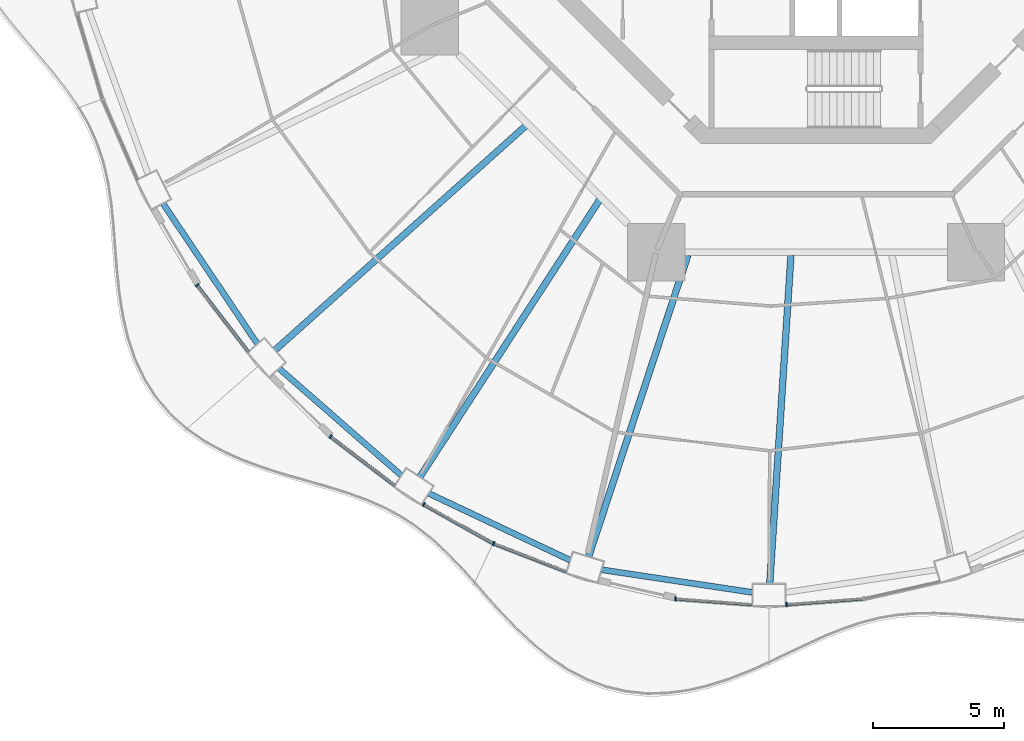
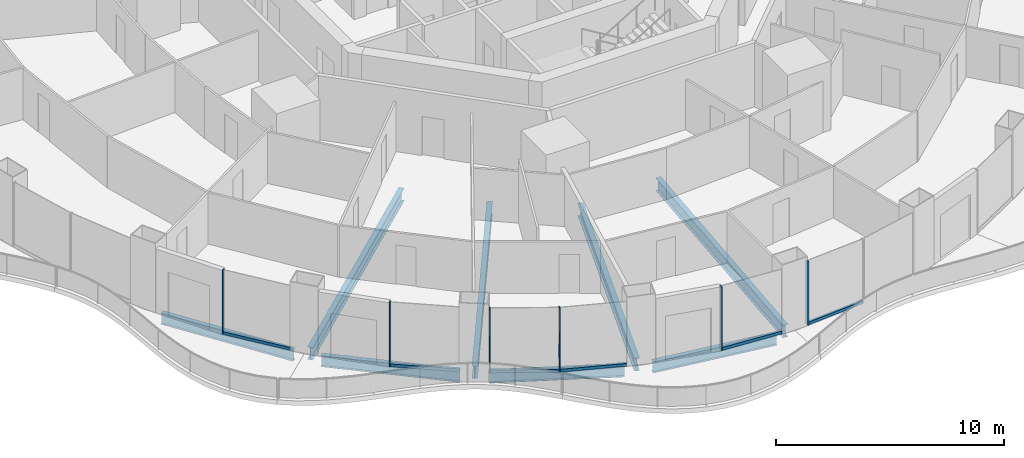
# One storey, part 2 of 22: 12 members, 8 beams, 6 elements without a shape of their own.
"""IFC4 building model written with IfcOpenShell, lengths in metres."""

from ifc_helpers import new_model, si_unit, direction, frame, origin, origin_2d, place, context, subcontext, project, spatial, rectangle, i_section, extrude, material, layer, layer_set, material_profile, profile_set, type_object, element, aggregate, save


model = new_model("IFC4")

# Units and contexts
model_context = context("Model", 3, precision=1e-05, world=origin(), true_north=direction((0.0, 1.0)))
body_context = subcontext(model_context, "Body", "Model", "MODEL_VIEW")
ifc_project = project(units=[si_unit("LENGTHUNIT", "METRE"), si_unit("AREAUNIT", "SQUARE_METRE"), si_unit("VOLUMEUNIT", "CUBIC_METRE"), si_unit("PLANEANGLEUNIT", "RADIAN"), si_unit("MASSUNIT", "GRAM", prefix="KILO")], contexts=[model_context])

# Site, building, storey
site_placement = place(None, origin())
site = spatial("IfcSite", under=ifc_project, at=site_placement, CompositionType="ELEMENT")
building_placement = place(site_placement, origin())
building = spatial("IfcBuilding", under=site, at=building_placement, Name="Nagisa Residences", CompositionType="ELEMENT")
storey_placement = place(building_placement, frame((0.0, 0.0, 95.5)))
storey = spatial("IfcBuildingStorey", under=building, at=storey_placement, Name="L23", CompositionType="ELEMENT", Elevation=95.5)

# Curtain wall, member
ifc_material_1 = material(Name="Concrete-coloured aluminium curtain wall system", Category="concrete")
ifc_layer = layer(ifc_material_1, 0.159912109375)
ifc_layer_set = layer_set([ifc_layer], Name="CW1 CURTAIN WALL")
curtain_wall_type = type_object("IfcCurtainWallType", Name="CW1 CURTAIN WALL", PredefinedType="NOTDEFINED", material=ifc_layer_set)
curtain_wall_1_placement = place(storey_placement, origin())
curtain_wall_1 = element("IfcCurtainWall", 1, at=curtain_wall_1_placement, inside=storey, type_object=curtain_wall_type, Name="cw:CW1:L23:29", PredefinedType="NOTDEFINED")
ifc_material_2 = material(Name="Concrete-coloured aluminium", Category="concrete")
ifc_material_profile_1 = material_profile(ifc_material_2, rectangle(XDim=0.159912109375, YDim=0.06005859375, at=origin_2d()), Name="CW1 MULLION 160x60")
ifc_profile_set_1 = profile_set([ifc_material_profile_1], Name="Concrete-coloured aluminium")
member_type_1 = type_object("IfcMemberType", Name="CW1 MULLION 160x60", PredefinedType="MULLION", material=ifc_profile_set_1)
member_1_placement = place(storey_placement, frame((-23.690185546875, -16.042236328125, 0.0), z_axis=(0.0, 0.0, 1.0), x_axis=(0.792070340816, 0.610429828235, 0.0)))
member_1 = element("IfcMember", 2, at=member_1_placement, type_object=member_type_1, Name="CW1 mullion", PredefinedType="MULLION", context=body_context, shape_type="SweptSolid", body=[
    extrude(rectangle(XDim=0.159912109375, YDim=0.06005859375, at=origin_2d()), origin(), (0.0, 0.0, 1.0), 3.43994140625),
])

curtain_wall_2_placement = place(storey_placement, origin())
curtain_wall_2 = element("IfcCurtainWall", 3, at=curtain_wall_2_placement, inside=storey, type_object=curtain_wall_type, Name="cw:CW1:L23:31", PredefinedType="NOTDEFINED")
member_2_placement = place(storey_placement, frame((-18.58740234375, -21.83935546875, 0.0), z_axis=(0.0, 0.0, 1.0), x_axis=(0.605255421737, 0.79603132756, 0.0)))
member_2 = element("IfcMember", 4, at=member_2_placement, type_object=member_type_1, Name="CW1 mullion", PredefinedType="MULLION", context=body_context, shape_type="SweptSolid", body=[
    extrude(rectangle(XDim=0.159912109375, YDim=0.06005859375, at=origin_2d()), origin(), (0.0, 0.0, 1.0), 3.43994140625),
])

curtain_wall_3_placement = place(storey_placement, origin())
curtain_wall_3 = element("IfcCurtainWall", 5, at=curtain_wall_3_placement, inside=storey, type_object=curtain_wall_type, Name="cw:CW1:L23:32", PredefinedType="NOTDEFINED")
member_3_placement = place(storey_placement, frame((-15.015380859375, -24.43798828125, 0.0), z_axis=(0.0, 0.0, 1.0), x_axis=(0.489376918501, 0.872072377523, 0.0)))
member_3 = element("IfcMember", 6, at=member_3_placement, type_object=member_type_1, Name="CW1 mullion", PredefinedType="MULLION", context=body_context, shape_type="SweptSolid", body=[
    extrude(rectangle(XDim=0.159912109375, YDim=0.06005859375, at=origin_2d()), origin(), (0.0, 0.0, 1.0), 3.43994140625),
])

curtain_wall_4_placement = place(storey_placement, origin())
curtain_wall_4 = element("IfcCurtainWall", 7, at=curtain_wall_4_placement, inside=storey, type_object=curtain_wall_type, Name="cw:CW1:L23:33", PredefinedType="NOTDEFINED")
member_4_placement = place(storey_placement, frame((-12.341552734375, -25.9345703125, 0.0), z_axis=(0.0, 0.0, 1.0), x_axis=(0.360327770268, 0.932825759707, 0.0)))
member_4 = element("IfcMember", 8, at=member_4_placement, type_object=member_type_1, Name="CW1 mullion", PredefinedType="MULLION", context=body_context, shape_type="SweptSolid", body=[
    extrude(rectangle(XDim=0.159912109375, YDim=0.06005859375, at=origin_2d()), origin(), (0.0, 0.0, 1.0), 3.43994140625),
])

curtain_wall_5_placement = place(storey_placement, origin())
curtain_wall_5 = element("IfcCurtainWall", 9, at=curtain_wall_5_placement, inside=storey, type_object=curtain_wall_type, Name="cw:CW1:L23:35", PredefinedType="NOTDEFINED")
member_5_placement = place(storey_placement, frame((-5.379150390625, -28.050048828125, 0.0), z_axis=(0.0, 0.0, 1.0), x_axis=(0.074377355493, 0.997230168512, 0.0)))
member_5 = element("IfcMember", 10, at=member_5_placement, type_object=member_type_1, Name="CW1 mullion", PredefinedType="MULLION", context=body_context, shape_type="SweptSolid", body=[
    extrude(rectangle(XDim=0.159912109375, YDim=0.06005859375, at=origin_2d()), origin(), (0.0, 0.0, 1.0), 3.43994140625),
])

curtain_wall_6_placement = place(storey_placement, origin())
curtain_wall_6 = element("IfcCurtainWall", 11, at=curtain_wall_6_placement, inside=storey, type_object=curtain_wall_type, Name="cw:CW1:L23:36", PredefinedType="NOTDEFINED")
member_6_placement = place(storey_placement, frame((-1.1279296875, -28.266845703125, 0.0), z_axis=(0.0, 0.0, 1.0), x_axis=(-0.074377355493, 0.997230168512, 0.0)))
member_6 = element("IfcMember", 12, at=member_6_placement, type_object=member_type_1, Name="CW1 mullion", PredefinedType="MULLION", context=body_context, shape_type="SweptSolid", body=[
    extrude(rectangle(XDim=0.159912109375, YDim=0.06005859375, at=origin_2d()), origin(), (0.0, 0.0, 1.0), 3.43994140625),
])

# Member
ifc_material_3 = material(Name="Concrete-coloured aluminium", Category="concrete")
ifc_material_profile_2 = material_profile(ifc_material_3, rectangle(XDim=0.1201171875, YDim=0.14990234375, at=origin_2d()), Name="CW1 TRANSOM 120x150")
ifc_profile_set_2 = profile_set([ifc_material_profile_2], Name="Concrete-coloured aluminium")
member_type_2 = type_object("IfcMemberType", Name="CW1 TRANSOM 120x150", PredefinedType="USERDEFINED", material=ifc_profile_set_2)
member_7_placement = place(storey_placement, frame((-23.70849609375, -16.0185546875, 0.074951171875), z_axis=(0.61041202934, -0.792084057684, 0.0), x_axis=(0.792084057684, 0.61041202934, 0.0)))
member_7 = element("IfcMember", 13, at=member_7_placement, type_object=member_type_2, Name="CW1 transom", ObjectType="TRANSOM", PredefinedType="USERDEFINED", context=body_context, shape_type="SweptSolid", body=[
    extrude(rectangle(XDim=0.1201171875, YDim=0.14990234375, at=origin_2d()), origin(), (0.0, 0.0, 1.0), 3.262939453125),
])

aggregate(curtain_wall_1, [member_1, member_7])

member_8_placement = place(storey_placement, frame((-18.611328125, -21.821044921875, 0.074951171875), z_axis=(0.796028580718, -0.605259034365, 0.0), x_axis=(0.605259034365, 0.796028580718, 0.0)))
member_8 = element("IfcMember", 14, at=member_8_placement, type_object=member_type_2, Name="CW1 transom", ObjectType="TRANSOM", PredefinedType="USERDEFINED", context=body_context, shape_type="SweptSolid", body=[
    extrude(rectangle(XDim=0.1201171875, YDim=0.14990234375, at=origin_2d()), origin(), (0.0, 0.0, 1.0), 3.134033203125),
])

aggregate(curtain_wall_2, [member_2, member_8])

member_9_placement = place(storey_placement, frame((-15.04150390625, -24.42333984375, 0.074951171875), z_axis=(0.872037280335, -0.489439456631, 0.0), x_axis=(0.489439456631, 0.872037280335, 0.0)))
member_9 = element("IfcMember", 15, at=member_9_placement, type_object=member_type_2, Name="CW1 transom", ObjectType="TRANSOM", PredefinedType="USERDEFINED", context=body_context, shape_type="SweptSolid", body=[
    extrude(rectangle(XDim=0.1201171875, YDim=0.14990234375, at=origin_2d()), origin(), (0.0, 0.0, 1.0), 3.07568359375),
])

aggregate(curtain_wall_3, [member_3, member_9])

member_10_placement = place(storey_placement, frame((-12.36962890625, -25.923828125, 0.074951171875), z_axis=(0.932837560624, -0.360297218263, 0.0), x_axis=(0.360297218263, 0.932837560624, 0.0)))
member_10 = element("IfcMember", 16, at=member_10_placement, type_object=member_type_2, Name="CW1 transom", ObjectType="TRANSOM", PredefinedType="USERDEFINED", context=body_context, shape_type="SweptSolid", body=[
    extrude(rectangle(XDim=0.1201171875, YDim=0.14990234375, at=origin_2d()), origin(), (0.0, 0.0, 1.0), 3.027587890625),
])

aggregate(curtain_wall_4, [member_4, member_10])

member_11_placement = place(storey_placement, frame((-5.408935546875, -28.0478515625, 0.074951171875), z_axis=(0.997226174467, -0.074430887117, 0.0), x_axis=(0.074430887117, 0.997226174467, 0.0)))
member_11 = element("IfcMember", 17, at=member_11_placement, type_object=member_type_2, Name="CW1 transom", ObjectType="TRANSOM", PredefinedType="USERDEFINED", context=body_context, shape_type="SweptSolid", body=[
    extrude(rectangle(XDim=0.1201171875, YDim=0.14990234375, at=origin_2d()), origin(), (0.0, 0.0, 1.0), 2.97509765625),
])

aggregate(curtain_wall_5, [member_5, member_11])

member_12_placement = place(storey_placement, frame((-1.15771484375, -28.269287109375, 0.074951171875), z_axis=(0.997226174467, 0.074430887117, 0.0), x_axis=(-0.074430887117, 0.997226174467, 0.0)))
member_12 = element("IfcMember", 18, at=member_12_placement, type_object=member_type_2, Name="CW1 transom", ObjectType="TRANSOM", PredefinedType="USERDEFINED", context=body_context, shape_type="SweptSolid", body=[
    extrude(rectangle(XDim=0.1201171875, YDim=0.14990234375, at=origin_2d()), origin(), (0.0, 0.0, 1.0), 2.97509765625),
])

aggregate(curtain_wall_6, [member_6, member_12])

# Beams
ifc_material_4 = material(Name="Steel ASTM A572 Gr 50", Category="steel")
ifc_material_profile_3 = material_profile(ifc_material_4, i_section(OverallWidth=0.22802734375, OverallDepth=0.60302734375, WebThickness=0.010498046875, FlangeThickness=0.014892578125, at=origin_2d()), Name="W610x101")
ifc_profile_set_3 = profile_set([ifc_material_profile_3], Name="Steel ASTM A572 Gr 50")
beam_type_1 = type_object("IfcBeamType", Name="Perimeter ring beam W610x101", PredefinedType="BEAM", material=ifc_profile_set_3)
beam_1_placement = place(storey_placement, frame((-24.9970703125, -12.91650390625, -0.5615234375), z_axis=(0.558203607151, -0.829704003222, 0.0), x_axis=(0.829704003222, 0.558203607151, 0.0)))
element("IfcBeam", 19, at=beam_1_placement, inside=storey, type_object=beam_type_1, Name="beam:L23:pb15", PredefinedType="BEAM", context=body_context, shape_type="SweptSolid", body=[
    extrude(i_section(OverallWidth=0.22802734375, OverallDepth=0.60302734375, WebThickness=0.010498046875, FlangeThickness=0.014892578125, at=origin_2d()), origin(), (0.0, 0.0, 1.0), 6.4716796875),
])
beam_2_placement = place(storey_placement, frame((-20.551513671875, -19.231689453125, -0.5615234375), z_axis=(0.752542612886, -0.658543556488, 0.0), x_axis=(0.658543556488, 0.752542612886, 0.0)))
element("IfcBeam", 20, at=beam_2_placement, inside=storey, type_object=beam_type_1, Name="beam:L23:pb16", PredefinedType="BEAM", context=body_context, shape_type="SweptSolid", body=[
    extrude(i_section(OverallWidth=0.22802734375, OverallDepth=0.60302734375, WebThickness=0.010498046875, FlangeThickness=0.014892578125, at=origin_2d()), origin(), (0.0, 0.0, 1.0), 6.212646484375),
])
beam_3_placement = place(storey_placement, frame((-14.822021484375, -24.013916015625, -0.5615234375), z_axis=(0.90418952838, -0.427131474804, 0.0), x_axis=(0.427131474804, 0.90418952838, 0.0)))
element("IfcBeam", 21, at=beam_3_placement, inside=storey, type_object=beam_type_1, Name="beam:L23:pb17", PredefinedType="BEAM", context=body_context, shape_type="SweptSolid", body=[
    extrude(i_section(OverallWidth=0.22802734375, OverallDepth=0.60302734375, WebThickness=0.010498046875, FlangeThickness=0.014892578125, at=origin_2d()), origin(), (0.0, 0.0, 1.0), 5.98046875),
])
beam_4_placement = place(storey_placement, frame((-8.20849609375, -26.93505859375, -0.5615234375), z_axis=(0.988913048607, -0.148495731568, 0.0), x_axis=(0.148495731568, 0.988913048607, 0.0)))
element("IfcBeam", 22, at=beam_4_placement, inside=storey, type_object=beam_type_1, Name="beam:L23:pb18", PredefinedType="BEAM", context=body_context, shape_type="SweptSolid", body=[
    extrude(i_section(OverallWidth=0.22802734375, OverallDepth=0.60302734375, WebThickness=0.010498046875, FlangeThickness=0.014892578125, at=origin_2d()), origin(), (0.0, 0.0, 1.0), 5.843017578125),
])
ifc_material_5 = material(Name="Steel ASTM A572 Gr 50", Category="steel")
ifc_material_profile_4 = material_profile(ifc_material_5, i_section(OverallWidth=0.2529296875, OverallDepth=0.677978515625, WebThickness=0.01171875, FlangeThickness=0.016357421875, at=origin_2d()), Name="W690x125")
ifc_profile_set_4 = profile_set([ifc_material_profile_4], Name="Steel ASTM A572 Gr 50")
beam_type_2 = type_object("IfcBeamType", Name="Radial beam W690x125", PredefinedType="BEAM", material=ifc_profile_set_4)
beam_5_placement = place(storey_placement, frame((-20.709228515625, -18.526611328125, -0.59912109375), z_axis=(0.745284973843, 0.666746059428, 0.0), x_axis=(-0.666746059428, 0.745284973843, 0.0)))
element("IfcBeam", 23, at=beam_5_placement, inside=storey, type_object=beam_type_2, Name="beam:L23:rb16", PredefinedType="BEAM", context=body_context, shape_type="SweptSolid", body=[
    extrude(i_section(OverallWidth=0.2529296875, OverallDepth=0.677978515625, WebThickness=0.01171875, FlangeThickness=0.016357421875, at=origin_2d()), origin(), (0.0, 0.0, 1.0), 12.869384765625),
])
beam_6_placement = place(storey_placement, frame((-15.16357421875, -23.38134765625, -0.59912109375), z_axis=(0.544121648903, 0.839006335611, 0.0), x_axis=(-0.839006335611, 0.544121648903, 0.0)))
element("IfcBeam", 24, at=beam_6_placement, inside=storey, type_object=beam_type_2, Name="beam:L23:rb17", PredefinedType="BEAM", context=body_context, shape_type="SweptSolid", body=[
    extrude(i_section(OverallWidth=0.2529296875, OverallDepth=0.677978515625, WebThickness=0.01171875, FlangeThickness=0.016357421875, at=origin_2d()), origin(), (0.0, 0.0, 1.0), 12.63818359375),
])
beam_7_placement = place(storey_placement, frame((-8.7041015625, -26.431884765625, -0.59912109375), z_axis=(0.312788454633, 0.94982281645, 0.0), x_axis=(-0.94982281645, 0.312788454633, 0.0)))
element("IfcBeam", 25, at=beam_7_placement, inside=storey, type_object=beam_type_2, Name="beam:L23:rb18", PredefinedType="BEAM", context=body_context, shape_type="SweptSolid", body=[
    extrude(i_section(OverallWidth=0.2529296875, OverallDepth=0.677978515625, WebThickness=0.01171875, FlangeThickness=0.016357421875, at=origin_2d()), origin(), (0.0, 0.0, 1.0), 12.145751953125),
])
beam_8_placement = place(storey_placement, frame((-1.772216796875, -27.46728515625, -0.59912109375), z_axis=(0.064392860553, 0.997924626167, 0.0), x_axis=(-0.997924626167, 0.064392860553, 0.0)))
element("IfcBeam", 26, at=beam_8_placement, inside=storey, type_object=beam_type_2, Name="beam:L23:rb19", PredefinedType="BEAM", context=body_context, shape_type="SweptSolid", body=[
    extrude(i_section(OverallWidth=0.2529296875, OverallDepth=0.677978515625, WebThickness=0.01171875, FlangeThickness=0.016357421875, at=origin_2d()), origin(), (0.0, 0.0, 1.0), 12.598876953125),
])

save(model, "model.ifc")
